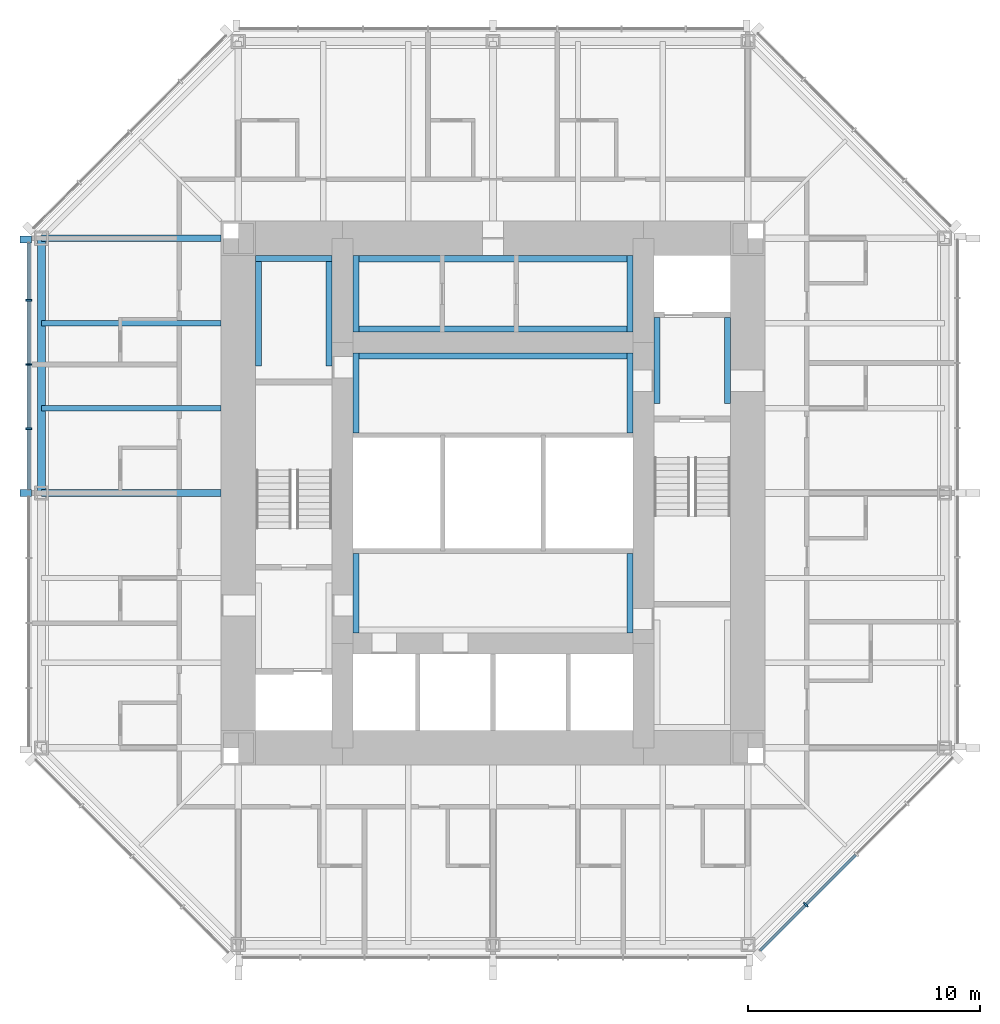
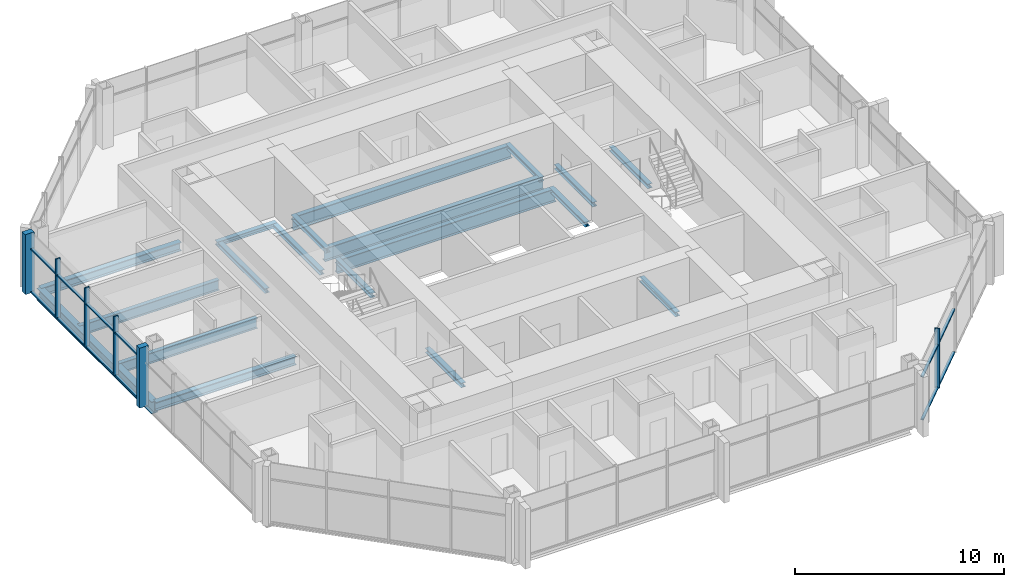
# One storey, part 3 of 12: 19 beams, 18 members, 2 elements without a shape of their own.
"""IFC4 building model written with IfcOpenShell, lengths in metres."""

from ifc_helpers import new_model, si_unit, direction, frame, origin, origin_2d, place, context, subcontext, project, spatial, rectangle, i_section, extrude, material, material_profile, profile_set, type_object, element, aggregate, save


model = new_model("IFC4")

# Units and contexts
model_context = context("Model", 3, precision=1e-05, world=origin(), true_north=direction((0.0, 1.0)))
body_context = subcontext(model_context, "Body", "Model", "MODEL_VIEW")
ifc_project = project(units=[si_unit("LENGTHUNIT", "METRE"), si_unit("AREAUNIT", "SQUARE_METRE"), si_unit("VOLUMEUNIT", "CUBIC_METRE"), si_unit("PLANEANGLEUNIT", "RADIAN"), si_unit("MASSUNIT", "GRAM", prefix="KILO")], contexts=[model_context])

# Site, building, storey
site_placement = place(None, origin())
site = spatial("IfcSite", under=ifc_project, at=site_placement, CompositionType="ELEMENT")
building_placement = place(site_placement, origin())
building = spatial("IfcBuilding", under=site, at=building_placement, Name="Trevanion Tower", CompositionType="ELEMENT")
storey_placement = place(building_placement, frame((0.0, 0.0, 204.699951171875)))
storey = spatial("IfcBuildingStorey", under=building, at=storey_placement, Name="L48", CompositionType="ELEMENT", Elevation=204.699951171875)

# Beams
ifc_material_1 = material(Name="Steel ASTM A992 Grade 50", Category="steel")
ifc_material_profile_1 = material_profile(ifc_material_1, i_section(OverallWidth=0.228271484375, OverallDepth=0.607177734375, WebThickness=0.01123046875, FlangeThickness=0.017333984375, at=origin_2d()), Name="W24X76")
ifc_profile_set_1 = profile_set([ifc_material_profile_1], Name="Steel ASTM A992 Grade 50")
beam_type_1 = type_object("IfcBeamType", Name="B11 W24X76", PredefinedType="BEAM", material=ifc_profile_set_1)
for number, where, z_axis, x_axis, name in (
    (1, (-11.75, 7.333251953125, -0.493408203125), (-1.0, 0.0, 0.0), (0.0, -1.0, 0.0), "B11 L48"),
    (2, (-11.75, 3.666748046875, -0.493408203125), (-1.0, 0.0, 0.0), (0.0, -1.0, 0.0), "B11 L48"),
):
    element("IfcBeam", number, at=place(storey_placement, frame(where, z_axis=z_axis, x_axis=x_axis)), inside=storey, type_object=beam_type_1, Name=name, PredefinedType="BEAM", context=body_context, shape_type="SweptSolid", body=[
        extrude(i_section(OverallWidth=0.228271484375, OverallDepth=0.607177734375, WebThickness=0.01123046875, FlangeThickness=0.017333984375, at=origin_2d()), origin(), (0.0, 0.0, 1.0), 7.75),
    ])

# Curtain wall, members
ifc_material_2 = material(Name="Aluminium and glass", Category="aluminium")
curtain_wall_type = type_object("IfcCurtainWallType", Name="CW3 curtain wall", PredefinedType="USERDEFINED", material=ifc_material_2)
curtain_wall_1_placement = place(storey_placement, origin())
curtain_wall_1 = element("IfcCurtainWall", 3, at=curtain_wall_1_placement, inside=storey, type_object=curtain_wall_type, Name="CW3 L48 4", ObjectType="UNITISED CURTAIN WALL", PredefinedType="USERDEFINED")
ifc_material_3 = material(Name="Aluminium extrusion, anodised bronze", Category="aluminium")
ifc_material_profile_2 = material_profile(ifc_material_3, rectangle(XDim=0.074951171875, YDim=0.25, at=origin_2d()), Name="CW3 mullion")
ifc_profile_set_2 = profile_set([ifc_material_profile_2], Name="Aluminium extrusion, anodised bronze")
member_type_1 = type_object("IfcMemberType", Name="CW3 mullion", PredefinedType="MULLION", material=ifc_profile_set_2)
member_1_placement = place(storey_placement, frame((-20.050048828125, 8.323486328125, -0.18994140625), z_axis=(0.0, 0.0, 1.0), x_axis=(0.0, -1.0, 0.0)))
member_1 = element("IfcMember", 4, at=member_1_placement, type_object=member_type_1, Name="CW3 mullion 2", PredefinedType="MULLION", context=body_context, shape_type="SweptSolid", body=[
    extrude(rectangle(XDim=0.074951171875, YDim=0.25, at=origin_2d()), origin(), (0.0, 0.0, 1.0), 3.5),
])
member_2_placement = place(storey_placement, frame((-20.050048828125, 5.548828125, -0.18994140625), z_axis=(0.0, 0.0, 1.0), x_axis=(0.0, -1.0, 0.0)))
member_2 = element("IfcMember", 5, at=member_2_placement, type_object=member_type_1, Name="CW3 mullion 3", PredefinedType="MULLION", context=body_context, shape_type="SweptSolid", body=[
    extrude(rectangle(XDim=0.074951171875, YDim=0.25, at=origin_2d()), origin(), (0.0, 0.0, 1.0), 3.5),
])
member_3_placement = place(storey_placement, frame((-20.050048828125, 2.7744140625, -0.18994140625), z_axis=(0.0, 0.0, 1.0), x_axis=(0.0, -1.0, 0.0)))
member_3 = element("IfcMember", 6, at=member_3_placement, type_object=member_type_1, Name="CW3 mullion 4", PredefinedType="MULLION", context=body_context, shape_type="SweptSolid", body=[
    extrude(rectangle(XDim=0.074951171875, YDim=0.25, at=origin_2d()), origin(), (0.0, 0.0, 1.0), 3.5),
])

# Curtain wall, member
curtain_wall_2_placement = place(storey_placement, origin())
curtain_wall_2 = element("IfcCurtainWall", 7, at=curtain_wall_2_placement, inside=storey, type_object=curtain_wall_type, Name="CW3 L48 7", ObjectType="UNITISED CURTAIN WALL", PredefinedType="USERDEFINED")
member_4_placement = place(storey_placement, frame((13.502197265625, -17.775390625, -0.18994140625), z_axis=(0.0, 0.0, 1.0), x_axis=(0.707106781187, 0.707106781187, 0.0)))
member_4 = element("IfcMember", 8, at=member_4_placement, type_object=member_type_1, Name="CW3 mullion 2", PredefinedType="MULLION", context=body_context, shape_type="SweptSolid", body=[
    extrude(rectangle(XDim=0.074951171875, YDim=0.25, at=origin_2d()), origin(), (0.0, 0.0, 1.0), 3.5),
])

# Member
ifc_material_4 = material(Name="Aluminium extrusion, anodised bronze", Category="aluminium")
ifc_material_profile_3 = material_profile(ifc_material_4, rectangle(XDim=0.300048828125, YDim=0.5, at=origin_2d()), Name="CW3 pier mullion")
ifc_profile_set_3 = profile_set([ifc_material_profile_3], Name="Aluminium extrusion, anodised bronze")
member_type_2 = type_object("IfcMemberType", Name="CW3 pier mullion", PredefinedType="MULLION", material=ifc_profile_set_3)
member_5_placement = place(storey_placement, frame((-20.175048828125, 10.94775390625, -0.18994140625), z_axis=(0.0, 0.0, 1.0), x_axis=(0.0, -1.0, 0.0)))
member_5 = element("IfcMember", 9, at=member_5_placement, type_object=member_type_2, Name="CW3 pier mullion 1", PredefinedType="MULLION", context=body_context, shape_type="SweptSolid", body=[
    extrude(rectangle(XDim=0.300048828125, YDim=0.5, at=origin_2d()), origin(), (0.0, 0.0, 1.0), 3.5),
])

member_6_placement = place(storey_placement, frame((-20.175048828125, 0.0, -0.18994140625), z_axis=(0.0, 0.0, 1.0), x_axis=(0.0, -1.0, 0.0)))
member_6 = element("IfcMember", 10, at=member_6_placement, type_object=member_type_2, Name="CW3 pier mullion 5", PredefinedType="MULLION", context=body_context, shape_type="SweptSolid", body=[
    extrude(rectangle(XDim=0.300048828125, YDim=0.5, at=origin_2d()), origin(), (0.0, 0.0, 1.0), 3.5),
])

ifc_material_5 = material(Name="Aluminium extrusion, anodised bronze", Category="aluminium")
ifc_material_profile_4 = material_profile(ifc_material_5, rectangle(XDim=0.14990234375, YDim=0.074951171875, at=origin_2d()), Name="CW3 transom")
ifc_profile_set_4 = profile_set([ifc_material_profile_4], Name="Aluminium extrusion, anodised bronze")
member_type_3 = type_object("IfcMemberType", Name="CW3 transom", PredefinedType="USERDEFINED", material=ifc_profile_set_4)
member_7_placement = place(storey_placement, frame((-20.050048828125, 10.7978515625, -0.15234375), z_axis=(0.0, -1.0, 0.0), x_axis=(1.0, 0.0, 0.0)))
member_7 = element("IfcMember", 11, at=member_7_placement, type_object=member_type_3, Name="CW3 transom 1.1", ObjectType="TRANSOM", PredefinedType="USERDEFINED", context=body_context, shape_type="SweptSolid", body=[
    extrude(rectangle(XDim=0.14990234375, YDim=0.074951171875, at=origin_2d()), origin(), (0.0, 0.0, 1.0), 2.43701171875),
])

member_8_placement = place(storey_placement, frame((-20.050048828125, 10.7978515625, 2.360107421875), z_axis=(0.0, -1.0, 0.0), x_axis=(1.0, 0.0, 0.0)))
member_8 = element("IfcMember", 12, at=member_8_placement, type_object=member_type_3, Name="CW3 transom 1.2", ObjectType="TRANSOM", PredefinedType="USERDEFINED", context=body_context, shape_type="SweptSolid", body=[
    extrude(rectangle(XDim=0.14990234375, YDim=0.074951171875, at=origin_2d()), origin(), (0.0, 0.0, 1.0), 2.43701171875),
])

member_9_placement = place(storey_placement, frame((-20.050048828125, 8.285888671875, -0.15234375), z_axis=(0.0, -1.0, 0.0), x_axis=(1.0, 0.0, 0.0)))
member_9 = element("IfcMember", 13, at=member_9_placement, type_object=member_type_3, Name="CW3 transom 2.1", ObjectType="TRANSOM", PredefinedType="USERDEFINED", context=body_context, shape_type="SweptSolid", body=[
    extrude(rectangle(XDim=0.14990234375, YDim=0.074951171875, at=origin_2d()), origin(), (0.0, 0.0, 1.0), 2.699462890625),
])

member_10_placement = place(storey_placement, frame((-20.050048828125, 8.285888671875, 2.360107421875), z_axis=(0.0, -1.0, 0.0), x_axis=(1.0, 0.0, 0.0)))
member_10 = element("IfcMember", 14, at=member_10_placement, type_object=member_type_3, Name="CW3 transom 2.2", ObjectType="TRANSOM", PredefinedType="USERDEFINED", context=body_context, shape_type="SweptSolid", body=[
    extrude(rectangle(XDim=0.14990234375, YDim=0.074951171875, at=origin_2d()), origin(), (0.0, 0.0, 1.0), 2.699462890625),
])

member_11_placement = place(storey_placement, frame((-20.050048828125, 5.511474609375, -0.15234375), z_axis=(0.0, -1.0, 0.0), x_axis=(1.0, 0.0, 0.0)))
member_11 = element("IfcMember", 15, at=member_11_placement, type_object=member_type_3, Name="CW3 transom 3.1", ObjectType="TRANSOM", PredefinedType="USERDEFINED", context=body_context, shape_type="SweptSolid", body=[
    extrude(rectangle(XDim=0.14990234375, YDim=0.074951171875, at=origin_2d()), origin(), (0.0, 0.0, 1.0), 2.699462890625),
])

member_12_placement = place(storey_placement, frame((-20.050048828125, 5.511474609375, 2.360107421875), z_axis=(0.0, -1.0, 0.0), x_axis=(1.0, 0.0, 0.0)))
member_12 = element("IfcMember", 16, at=member_12_placement, type_object=member_type_3, Name="CW3 transom 3.2", ObjectType="TRANSOM", PredefinedType="USERDEFINED", context=body_context, shape_type="SweptSolid", body=[
    extrude(rectangle(XDim=0.14990234375, YDim=0.074951171875, at=origin_2d()), origin(), (0.0, 0.0, 1.0), 2.699462890625),
])

member_13_placement = place(storey_placement, frame((-20.050048828125, 2.737060546875, -0.15234375), z_axis=(0.0, -1.0, 0.0), x_axis=(1.0, 0.0, 0.0)))
member_13 = element("IfcMember", 17, at=member_13_placement, type_object=member_type_3, Name="CW3 transom 4.1", ObjectType="TRANSOM", PredefinedType="USERDEFINED", context=body_context, shape_type="SweptSolid", body=[
    extrude(rectangle(XDim=0.14990234375, YDim=0.074951171875, at=origin_2d()), origin(), (0.0, 0.0, 1.0), 2.587158203125),
])

member_14_placement = place(storey_placement, frame((-20.050048828125, 2.737060546875, 2.360107421875), z_axis=(0.0, -1.0, 0.0), x_axis=(1.0, 0.0, 0.0)))
member_14 = element("IfcMember", 18, at=member_14_placement, type_object=member_type_3, Name="CW3 transom 4.2", ObjectType="TRANSOM", PredefinedType="USERDEFINED", context=body_context, shape_type="SweptSolid", body=[
    extrude(rectangle(XDim=0.14990234375, YDim=0.074951171875, at=origin_2d()), origin(), (0.0, 0.0, 1.0), 2.587158203125),
])

aggregate(curtain_wall_1, [member_5, member_1, member_2, member_3, member_6, member_7, member_8, member_9, member_10, member_11, member_12, member_13, member_14])

member_15_placement = place(storey_placement, frame((11.531982421875, -19.745849609375, -0.15234375), z_axis=(0.707106781187, 0.707106781187, 0.0), x_axis=(-0.707106781187, 0.707106781187, 0.0)))
member_15 = element("IfcMember", 19, at=member_15_placement, type_object=member_type_3, Name="CW3 transom 1.1", ObjectType="TRANSOM", PredefinedType="USERDEFINED", context=body_context, shape_type="SweptSolid", body=[
    extrude(rectangle(XDim=0.14990234375, YDim=0.074951171875, at=origin_2d()), origin(), (0.0, 0.0, 1.0), 2.7490234375),
])

member_16_placement = place(storey_placement, frame((11.531982421875, -19.745849609375, 2.360107421875), z_axis=(0.707106781187, 0.707106781187, 0.0), x_axis=(-0.707106781187, 0.707106781187, 0.0)))
member_16 = element("IfcMember", 20, at=member_16_placement, type_object=member_type_3, Name="CW3 transom 1.2", ObjectType="TRANSOM", PredefinedType="USERDEFINED", context=body_context, shape_type="SweptSolid", body=[
    extrude(rectangle(XDim=0.14990234375, YDim=0.074951171875, at=origin_2d()), origin(), (0.0, 0.0, 1.0), 2.7490234375),
])

member_17_placement = place(storey_placement, frame((13.52880859375, -17.7490234375, -0.15234375), z_axis=(0.707106781187, 0.707106781187, 0.0), x_axis=(-0.707106781187, 0.707106781187, 0.0)))
member_17 = element("IfcMember", 21, at=member_17_placement, type_object=member_type_3, Name="CW3 transom 2.1", ObjectType="TRANSOM", PredefinedType="USERDEFINED", context=body_context, shape_type="SweptSolid", body=[
    extrude(rectangle(XDim=0.14990234375, YDim=0.074951171875, at=origin_2d()), origin(), (0.0, 0.0, 1.0), 3.01171875),
])

member_18_placement = place(storey_placement, frame((13.52880859375, -17.7490234375, 2.360107421875), z_axis=(0.707106781187, 0.707106781187, 0.0), x_axis=(-0.707106781187, 0.707106781187, 0.0)))
member_18 = element("IfcMember", 22, at=member_18_placement, type_object=member_type_3, Name="CW3 transom 2.2", ObjectType="TRANSOM", PredefinedType="USERDEFINED", context=body_context, shape_type="SweptSolid", body=[
    extrude(rectangle(XDim=0.14990234375, YDim=0.074951171875, at=origin_2d()), origin(), (0.0, 0.0, 1.0), 3.01171875),
])

aggregate(curtain_wall_2, [member_4, member_15, member_16, member_17, member_18])

# Beams
ifc_material_6 = material(Name="Steel ASTM A992 Grade 50", Category="steel")
ifc_material_profile_5 = material_profile(ifc_material_6, i_section(OverallWidth=0.28955078125, OverallDepth=0.508056640625, WebThickness=0.022705078125, FlangeThickness=0.040283203125, at=origin_2d()), Name="W18X175")
ifc_profile_set_5 = profile_set([ifc_material_profile_5], Name="Steel ASTM A992 Grade 50")
beam_type_2 = type_object("IfcBeamType", Name="G6 W18X175", PredefinedType="BEAM", material=ifc_profile_set_5)
for number, where, z_axis, x_axis, name in (
    (23, (-11.75, 11.0, -0.44384765625), (-1.0, 0.0, 0.0), (0.0, -1.0, 0.0), "G6 L48"),
    (24, (-11.75, 0.0, -0.44384765625), (-1.0, 0.0, 0.0), (0.0, -1.0, 0.0), "G6 L48"),
):
    element("IfcBeam", number, at=place(storey_placement, frame(where, z_axis=z_axis, x_axis=x_axis)), inside=storey, type_object=beam_type_2, Name=name, PredefinedType="BEAM", context=body_context, shape_type="SweptSolid", body=[
        extrude(i_section(OverallWidth=0.28955078125, OverallDepth=0.508056640625, WebThickness=0.022705078125, FlangeThickness=0.040283203125, at=origin_2d()), origin(), (0.0, 0.0, 1.0), 7.75),
    ])
ifc_material_7 = material(Name="Steel ASTM A992 Grade 50", Category="steel")
ifc_material_profile_6 = material_profile(ifc_material_7, i_section(OverallWidth=0.256591796875, OverallDepth=0.26416015625, WebThickness=0.011962890625, FlangeThickness=0.01953125, at=origin_2d()), Name="W10X68")
ifc_profile_set_6 = profile_set([ifc_material_profile_6], Name="Steel ASTM A992 Grade 50")
beam_type_3 = type_object("IfcBeamType", Name="LB1 W10X68", PredefinedType="BEAM", material=ifc_profile_set_6)
for number, where, z_axis, x_axis, name in (
    (25, (-5.921630859375, 2.60009765625, -0.33203125), (0.0, 1.0, 0.0), (-1.0, 0.0, 0.0), "LB1 L48"),
    (26, (5.921630859375, 2.60009765625, -0.33203125), (0.0, 1.0, 0.0), (-1.0, 0.0, 0.0), "LB1 L48"),
    (27, (-5.921630859375, -6.050048828125, -0.33203125), (0.0, 1.0, 0.0), (-1.0, 0.0, 0.0), "LB1 L48"),
    (28, (5.921630859375, -6.050048828125, -0.33203125), (0.0, 1.0, 0.0), (-1.0, 0.0, 0.0), "LB1 L48"),
):
    element("IfcBeam", number, at=place(storey_placement, frame(where, z_axis=z_axis, x_axis=x_axis)), inside=storey, type_object=beam_type_3, Name=name, PredefinedType="BEAM", context=body_context, shape_type="SweptSolid", body=[
        extrude(i_section(OverallWidth=0.256591796875, OverallDepth=0.26416015625, WebThickness=0.011962890625, FlangeThickness=0.01953125, at=origin_2d()), origin(), (0.0, 0.0, 1.0), 3.449951171875),
    ])
for number, where, z_axis, x_axis, name in (
    (29, (7.078369140625, 3.875, -0.33203125), (0.0, 1.0, 0.0), (-1.0, 0.0, 0.0), "LB1 L48"),
    (30, (10.12158203125, 3.875, -0.33203125), (0.0, 1.0, 0.0), (-1.0, 0.0, 0.0), "LB1 L48"),
):
    element("IfcBeam", number, at=place(storey_placement, frame(where, z_axis=z_axis, x_axis=x_axis)), inside=storey, type_object=beam_type_3, Name=name, PredefinedType="BEAM", context=body_context, shape_type="SweptSolid", body=[
        extrude(i_section(OverallWidth=0.256591796875, OverallDepth=0.26416015625, WebThickness=0.011962890625, FlangeThickness=0.01953125, at=origin_2d()), origin(), (0.0, 0.0, 1.0), 3.699951171875),
    ])
for number, where, z_axis, x_axis, name in (
    (31, (-10.12158203125, 5.47509765625, -0.33203125), (0.0, 1.0, 0.0), (-1.0, 0.0, 0.0), "LB1 L48"),
    (32, (-7.078369140625, 5.47509765625, -0.33203125), (0.0, 1.0, 0.0), (-1.0, 0.0, 0.0), "LB1 L48"),
):
    element("IfcBeam", number, at=place(storey_placement, frame(where, z_axis=z_axis, x_axis=x_axis)), inside=storey, type_object=beam_type_3, Name=name, PredefinedType="BEAM", context=body_context, shape_type="SweptSolid", body=[
        extrude(i_section(OverallWidth=0.256591796875, OverallDepth=0.26416015625, WebThickness=0.011962890625, FlangeThickness=0.01953125, at=origin_2d()), origin(), (0.0, 0.0, 1.0), 4.77490234375),
    ])
for number, where, z_axis, x_axis, name in (
    (33, (-10.25, 10.12158203125, -0.33203125), (1.0, 0.0, 0.0), (0.0, 1.0, 0.0), "LB1 L48"),
    (34, (-5.921630859375, 6.949951171875, -0.33203125), (0.0, 1.0, 0.0), (-1.0, 0.0, 0.0), "LB1 L48"),
    (35, (5.921630859375, 6.949951171875, -0.33203125), (0.0, 1.0, 0.0), (-1.0, 0.0, 0.0), "LB1 L48"),
):
    element("IfcBeam", number, at=place(storey_placement, frame(where, z_axis=z_axis, x_axis=x_axis)), inside=storey, type_object=beam_type_3, Name=name, PredefinedType="BEAM", context=body_context, shape_type="SweptSolid", body=[
        extrude(i_section(OverallWidth=0.256591796875, OverallDepth=0.26416015625, WebThickness=0.011962890625, FlangeThickness=0.01953125, at=origin_2d()), origin(), (0.0, 0.0, 1.0), 3.300048828125),
    ])
ifc_material_8 = material(Name="Steel ASTM A992 Grade 50", Category="steel")
ifc_material_profile_7 = material_profile(ifc_material_8, i_section(OverallWidth=0.2666015625, OverallDepth=0.76953125, WebThickness=0.015625, FlangeThickness=0.025390625, at=origin_2d()), Name="W30X132")
ifc_profile_set_7 = profile_set([ifc_material_profile_7], Name="Steel ASTM A992 Grade 50")
beam_type_4 = type_object("IfcBeamType", Name="LB3 W30X132", PredefinedType="BEAM", material=ifc_profile_set_7)
for number, where, z_axis, x_axis, name in (
    (36, (-6.050048828125, 5.91650390625, -0.584716796875), (1.0, 0.0, 0.0), (0.0, 1.0, 0.0), "LB3 L48"),
    (37, (-6.050048828125, 7.08349609375, -0.584716796875), (1.0, 0.0, 0.0), (0.0, 1.0, 0.0), "LB3 L48"),
    (38, (-6.050048828125, 10.11669921875, -0.584716796875), (1.0, 0.0, 0.0), (0.0, 1.0, 0.0), "LB3 L48"),
):
    element("IfcBeam", number, at=place(storey_placement, frame(where, z_axis=z_axis, x_axis=x_axis)), inside=storey, type_object=beam_type_4, Name=name, PredefinedType="BEAM", context=body_context, shape_type="SweptSolid", body=[
        extrude(i_section(OverallWidth=0.2666015625, OverallDepth=0.76953125, WebThickness=0.015625, FlangeThickness=0.025390625, at=origin_2d()), origin(), (0.0, 0.0, 1.0), 12.10009765625),
    ])
ifc_material_9 = material(Name="Steel ASTM A992 Grade 50", Category="steel")
ifc_material_profile_8 = material_profile(ifc_material_9, i_section(OverallWidth=0.355712890625, OverallDepth=0.696044921875, WebThickness=0.015380859375, FlangeThickness=0.024658203125, at=origin_2d()), Name="W27X146")
ifc_profile_set_8 = profile_set([ifc_material_profile_8], Name="Steel ASTM A992 Grade 50")
beam_type_5 = type_object("IfcBeamType", Name="SB8 W27X146", PredefinedType="SPANDREL", material=ifc_profile_set_8)
beam_placement = place(storey_placement, frame((-19.5, 11.0, -0.537841796875), z_axis=(0.0, -1.0, 0.0), x_axis=(1.0, 0.0, 0.0)))
element("IfcBeam", 39, at=beam_placement, inside=storey, type_object=beam_type_5, Name="SB8 L48", PredefinedType="SPANDREL", context=body_context, shape_type="SweptSolid", body=[
    extrude(i_section(OverallWidth=0.355712890625, OverallDepth=0.696044921875, WebThickness=0.015380859375, FlangeThickness=0.024658203125, at=origin_2d()), origin(), (0.0, 0.0, 1.0), 11.0),
])

save(model, "model.ifc")
